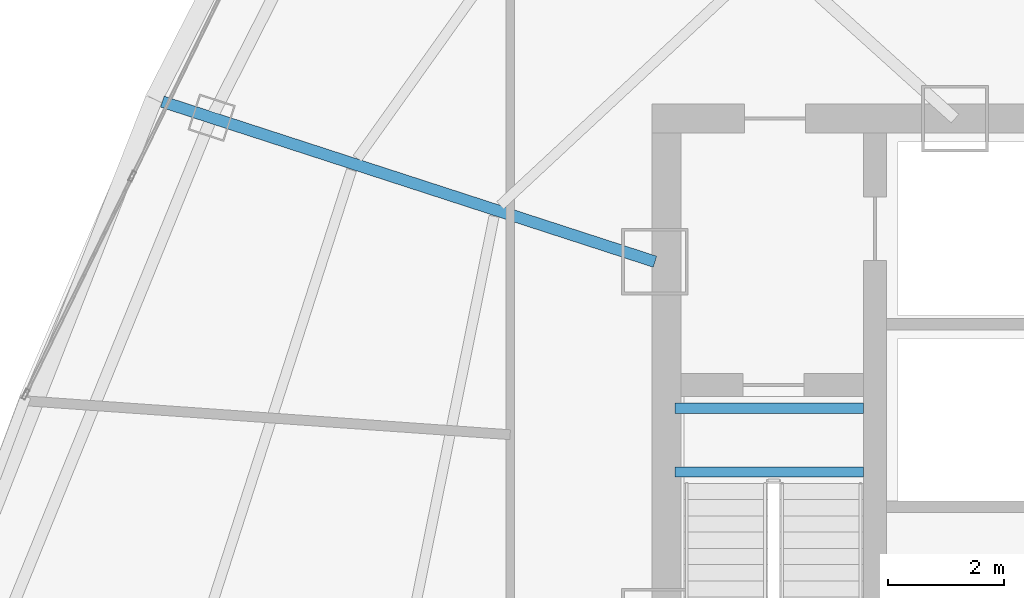
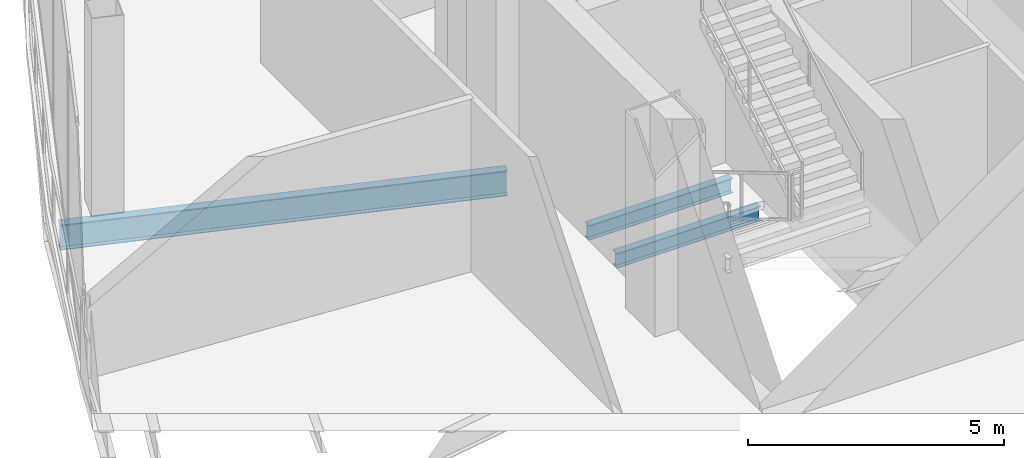
# One storey, part 7 of 33: 3 beams.
"""IFC4 building model written with IfcOpenShell, lengths in metres."""

from ifc_helpers import new_model, si_unit, direction, frame, origin, origin_2d, place, context, subcontext, project, spatial, i_section, extrude, source, transform, mapped, material, material_profile, profile_set, type_object, element, save


model = new_model("IFC4")

# Units and contexts
model_context = context("Model", 3, precision=1e-05, world=origin(), true_north=direction((0.0, 1.0)))
body_context = subcontext(model_context, "Body", "Model", "MODEL_VIEW")
ifc_project = project(units=[si_unit("LENGTHUNIT", "METRE"), si_unit("AREAUNIT", "SQUARE_METRE"), si_unit("VOLUMEUNIT", "CUBIC_METRE"), si_unit("PLANEANGLEUNIT", "RADIAN"), si_unit("MASSUNIT", "GRAM", prefix="KILO"), si_unit("THERMODYNAMICTEMPERATUREUNIT", "KELVIN"), si_unit("POWERUNIT", "WATT")], contexts=[model_context])

# Site, building, storey
site_placement = place(None, origin())
site = spatial("IfcSite", under=ifc_project, at=site_placement, CompositionType="ELEMENT")
building_placement = place(site_placement, origin())
building = spatial("IfcBuilding", under=site, at=building_placement, Name="Yunzhuo Pagoda Commons", CompositionType="ELEMENT")
storey_placement = place(building_placement, frame((0.0, 0.0, 386.760009765625)))
storey = spatial("IfcBuildingStorey", under=building, at=storey_placement, Name="L96", CompositionType="ELEMENT", Elevation=386.760009765625)

# Beams
ifc_material = material(Name="Structural steel Q355B", Category="steel")
ifc_material_profile_1 = material_profile(ifc_material, i_section(OverallWidth=0.175048828125, OverallDepth=0.35009765625, WebThickness=0.007080078125, FlangeThickness=0.010986328125, at=origin_2d()), Name="Structural steel Q355B")
ifc_profile_set_1 = profile_set([ifc_material_profile_1], Name="Structural steel Q355B")
beam_type_1 = type_object("IfcBeamType", Name="B-JS2 Joist HN 350x175x7x11", PredefinedType="JOIST", material=ifc_profile_set_1)
shared_shape_1 = source(origin(), body_context, "Body", "SweptSolid", [
    extrude(i_section(OverallWidth=0.175048828125, OverallDepth=0.35009765625, WebThickness=0.007080078125, FlangeThickness=0.010986328125, at=origin_2d()), origin(), (0.0, 0.0, 1.0), 3.25),
])
for number, where, z_axis, x_axis, name in (
    (1, (35.949951171875, 34.10009765625, -0.375), (1.0, 0.0, 0.0), (0.0, 1.0, 0.0), "L96 ST1 landing support beam 200A"),
    (2, (35.949951171875, 35.199951171875, -0.375), (1.0, 0.0, 0.0), (0.0, 1.0, 0.0), "L96 ST1 landing support beam 200B"),
):
    element("IfcBeam", number, at=place(storey_placement, frame(where, z_axis=z_axis, x_axis=x_axis)), inside=storey, type_object=beam_type_1, Name=name, PredefinedType="JOIST", context=body_context, shape_type="MappedRepresentation", body=[
        mapped(shared_shape_1, transform((0.0, 0.0, 0.0), scale=1.0)),
    ])
ifc_material_profile_2 = material_profile(ifc_material, i_section(OverallWidth=0.199951171875, OverallDepth=0.60009765625, WebThickness=0.010986328125, FlangeThickness=0.01708984375, at=origin_2d()), Name="Structural steel Q355B")
ifc_profile_set_2 = profile_set([ifc_material_profile_2], Name="Structural steel Q355B")
beam_type_2 = type_object("IfcBeamType", Name="B-RG3 Beam HN 600x200x11x17", PredefinedType="BEAM", material=ifc_profile_set_2)
shared_shape_2 = source(origin(), body_context, "Body", "SweptSolid", [
    extrude(i_section(OverallWidth=0.199951171875, OverallDepth=0.60009765625, WebThickness=0.010986328125, FlangeThickness=0.01708984375, at=origin_2d()), origin(), (0.0, 0.0, 1.0), 8.942626953125),
])
beam_placement = place(storey_placement, frame((27.09521484375, 40.492431640625, -0.580078125), z_axis=(0.951055734301, -0.309019401095, 0.0), x_axis=(0.309019401095, 0.951055734301, 0.0)))
element("IfcBeam", 3, at=beam_placement, inside=storey, type_object=beam_type_2, Name="L96 radial floor girder F3C3", PredefinedType="BEAM", context=body_context, shape_type="MappedRepresentation", body=[
    mapped(shared_shape_2, transform((0.0, 0.0, 0.0), scale=1.0)),
])

save(model, "model.ifc")
